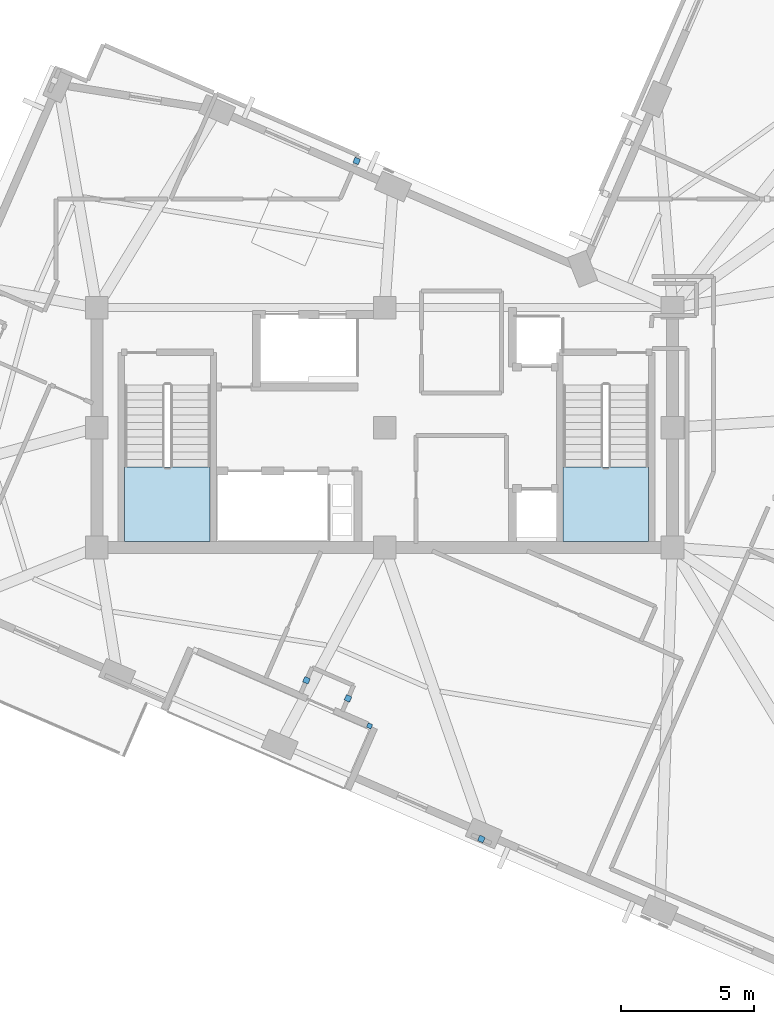
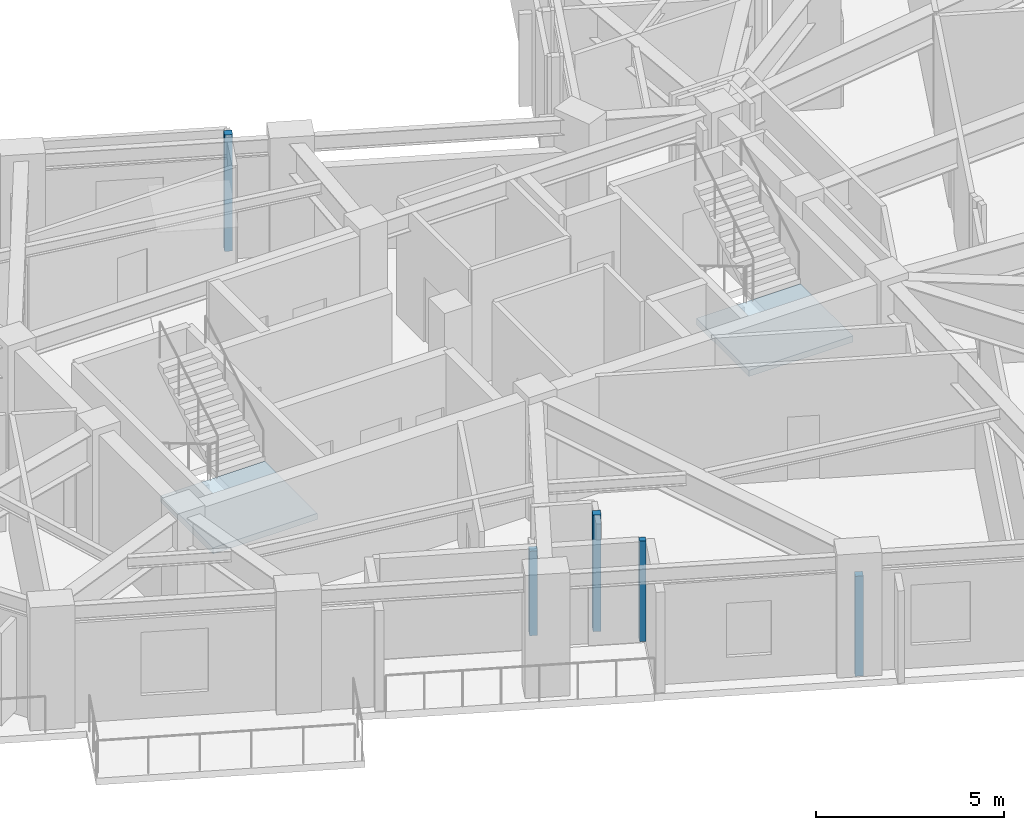
# One storey, part 3 of 12: 5 plates, 2 slabs, 2 elements without a shape of their own.
"""IFC4 building model written with IfcOpenShell, lengths in metres."""

import ifcopenshell
import ifcopenshell.guid

model = None  # the IFC model being written
_history = None  # IfcOwnerHistory: only IFC2X3 demands one
_inside = {}  # id of a spatial element -> (the spatial element, [elements in it])
_under = {}  # id of a project, library or spatial element -> (it, [spatial elements below it])
_declared = {}  # id of a project -> (the project, [libraries it declares])
_typed = {}  # id of a type object -> (the type object, [elements of that type])
_made_of = {}  # id of a material, layer set ... -> (it, [elements and type objects made of it])


def new_model(schema):
    """Start an empty IFC model of exactly this schema.

    Asked for "IFC4X3", IfcOpenShell would pick the latest addendum, in which some entities
    have other attributes; the version numbers below select the first issue.
    IFC2X3 requires an IfcOwnerHistory on every rooted entity: one is made here for all.
    """
    global model, _history
    if schema == "IFC4X3":
        model = ifcopenshell.file(schema_version=(4, 3, 0, 0))
    else:
        model = ifcopenshell.file(schema=schema)
    _inside.clear()
    _under.clear()
    _declared.clear()
    _typed.clear()
    _made_of.clear()
    _history = None
    if model.schema == "IFC2X3":
        org = make("IfcOrganization", Name="unknown")
        user = make(
            "IfcPersonAndOrganization",
            ThePerson=make("IfcPerson", FamilyName="unknown"),
            TheOrganization=org,
        )
        app = make(
            "IfcApplication",
            ApplicationDeveloper=org,
            Version="unknown",
            ApplicationFullName="unknown",
            ApplicationIdentifier="unknown",
        )
        _history = make(
            "IfcOwnerHistory",
            OwningUser=user,
            OwningApplication=app,
            ChangeAction="ADDED",
            CreationDate=0,
        )
    return model


def make(cls, **values):
    """One entity of the class cls with the attributes given. An attribute that is None is left unset."""
    return model.create_entity(
        cls, **{name: value for name, value in values.items() if value is not None}
    )


def rooted(cls, **values):
    """An entity with a GlobalId (a new one), such as an element, a storey or a relation."""
    return make(cls, GlobalId=ifcopenshell.guid.new(), OwnerHistory=_history, **values)


def si_unit(unit_type, name, prefix=None):
    """IfcSIUnit, for example si_unit("LENGTHUNIT", "METRE", prefix="MILLI")."""
    return make("IfcSIUnit", UnitType=unit_type, Prefix=prefix, Name=name)


def assignment(units):
    """IfcUnitAssignment: the units of a project."""
    return None if units is None else make("IfcUnitAssignment", Units=units)


def point(xyz):
    """IfcCartesianPoint."""
    return None if xyz is None else make("IfcCartesianPoint", Coordinates=xyz)


def direction(xyz):
    """IfcDirection."""
    return None if xyz is None else make("IfcDirection", DirectionRatios=xyz)


def frame(location, z_axis=None, x_axis=None):
    """IfcAxis2Placement3D, a coordinate frame: its origin and axes. An axis left out is left unset."""
    return make(
        "IfcAxis2Placement3D",
        Location=point(location),
        Axis=direction(z_axis),
        RefDirection=direction(x_axis),
    )


def frame_2d(location, x_axis=None):
    """IfcAxis2Placement2D, a coordinate frame in the plane: its origin and x axis."""
    return make(
        "IfcAxis2Placement2D", Location=point(location), RefDirection=direction(x_axis)
    )


def origin():
    """The frame at (0, 0, 0) with its axes left unset."""
    return frame((0.0, 0.0, 0.0))


def origin_2d():
    """The frame at (0, 0) in the plane with its x axis left unset."""
    return frame_2d((0.0, 0.0))


def place(relative_to, where):
    """IfcLocalPlacement: puts the frame where relative to a parent placement (None: the world)."""
    return make(
        "IfcLocalPlacement", PlacementRelTo=relative_to, RelativePlacement=where
    )


def context(
    kind, dimensions, precision=None, world=None, true_north=None, identifier=None
):
    """IfcGeometricRepresentationContext, for example the 3D "Model" context."""
    return make(
        "IfcGeometricRepresentationContext",
        ContextIdentifier=identifier,
        ContextType=kind,
        CoordinateSpaceDimension=dimensions,
        Precision=precision,
        WorldCoordinateSystem=world,
        TrueNorth=true_north,
    )


def subcontext(parent, identifier, kind, view, scale=None):
    """IfcGeometricRepresentationSubContext, for example "Body" below "Model"."""
    return make(
        "IfcGeometricRepresentationSubContext",
        ContextIdentifier=identifier,
        ContextType=kind,
        ParentContext=parent,
        TargetScale=scale,
        TargetView=view,
    )


def project(units=None, contexts=None):
    """IfcProject with its units and contexts."""
    return rooted(
        "IfcProject",
        Name="project",
        RepresentationContexts=contexts,
        UnitsInContext=assignment(units),
    )


def spatial(cls, under=None, at=None, **own):
    """A site, building, storey or space (cls), placed at a placement, below another one or the project."""
    s = rooted(cls, ObjectPlacement=at, **own)
    if under is not None:
        _under.setdefault(under.id(), (under, []))[1].append(s)
    return s


def polyline(points):
    """IfcPolyline through the points."""
    return make("IfcPolyline", Points=[point(p) for p in points])


def profile(cls, at=None, kind="AREA", **sizes):
    """A parametric profile (cls). Its sizes go by their IFC names, for example OverallWidth=200.0."""
    return make(cls, ProfileType=kind, Position=at, **sizes)


def rectangle(**sizes):
    """IfcRectangleProfileDef."""
    return profile("IfcRectangleProfileDef", **sizes)


def outline(outer, holes=None, kind="AREA"):
    """IfcArbitraryClosedProfileDef: a profile drawn as a closed curve; with holes, ...WithVoids."""
    if holes is None:
        return make("IfcArbitraryClosedProfileDef", ProfileType=kind, OuterCurve=outer)
    return make(
        "IfcArbitraryProfileDefWithVoids",
        ProfileType=kind,
        OuterCurve=outer,
        InnerCurves=holes,
    )


def extrude(swept, where, along, depth):
    """IfcExtrudedAreaSolid: the profile swept, set in the frame where, extruded along a direction by depth."""
    return make(
        "IfcExtrudedAreaSolid",
        SweptArea=swept,
        Position=where,
        ExtrudedDirection=direction(along),
        Depth=depth,
    )


def shape(context_of_items, identifier, shape_type, items):
    """IfcShapeRepresentation: the items that make up one representation, for example the "Body"."""
    return make(
        "IfcShapeRepresentation",
        ContextOfItems=context_of_items,
        RepresentationIdentifier=identifier,
        RepresentationType=shape_type,
        Items=items,
    )


def material(Name=None, Category=None):
    """IfcMaterial."""
    return make("IfcMaterial", Name=Name, Category=Category)


def layer(
    of_material, thickness, ventilated=None, Name=None, Category=None, Priority=None
):
    """IfcMaterialLayer: one layer of a wall or slab, of a material (None: an air gap)."""
    return make(
        "IfcMaterialLayer",
        Material=of_material,
        LayerThickness=thickness,
        IsVentilated=ventilated,
        Name=Name,
        Category=Category,
        Priority=Priority,
    )


def layer_set(layers, Name=None):
    """IfcMaterialLayerSet."""
    return make("IfcMaterialLayerSet", MaterialLayers=layers, LayerSetName=Name)


def made_of(thing, what):
    """Note that an element or type object is made of a material, layer set ...; save() writes the relation."""
    if what is not None:
        _made_of.setdefault(what.id(), (what, []))[1].append(thing)
    return thing


def type_object(cls, material=None, **own):
    """A type object (cls), such as IfcWallType, which elements share."""
    return made_of(rooted(cls, **own), material)


def element(
    cls,
    number,
    at=None,
    inside=None,
    cuts=None,
    type_object=None,
    material=None,
    context=None,
    identifier="Body",
    shape_type=None,
    held_by="IfcProductDefinitionShape",
    body=None,
    shapes=None,
    **own,
):
    """One element of the class cls, such as IfcWall. Its Tag is "e" and its number.

    at: its placement. inside: the storey or other place that contains it. cuts: it is an
    opening in that element (IfcRelVoidsElement). A single representation is given by context,
    identifier, shape_type and body (its items); several are given by shapes. held_by: the class
    of the entity that holds the representations. save() writes the other relations.
    """
    e = rooted(cls, Tag="e%d" % number, ObjectPlacement=at, **own)
    if body is not None:
        shapes = [shape(context, identifier, shape_type, body)]
    if shapes is not None:
        e.Representation = make(held_by, Representations=shapes)
    if inside is not None:
        _inside.setdefault(inside.id(), (inside, []))[1].append(e)
    if cuts is not None:
        rooted(
            "IfcRelVoidsElement", RelatingBuildingElement=cuts, RelatedOpeningElement=e
        )
    if type_object is not None:
        _typed.setdefault(type_object.id(), (type_object, []))[1].append(e)
    return made_of(e, material)


def aggregate(whole, parts):
    """IfcRelAggregates: a whole, such as a stair, and the parts it consists of."""
    return rooted("IfcRelAggregates", RelatingObject=whole, RelatedObjects=parts)


def save(model, path):
    """Write the relations noted so far, then the file.

    IfcRelAggregates (storeys below a building ...), IfcRelContainedInSpatialStructure (elements
    in a storey), IfcRelDefinesByType, IfcRelAssociatesMaterial and IfcRelDeclares: one each for
    every whole, place, type object, material and project.
    """
    for whole, parts in _under.values():
        aggregate(whole, parts)
    for where, things in _inside.values():
        rooted(
            "IfcRelContainedInSpatialStructure",
            RelatedElements=things,
            RelatingStructure=where,
        )
    for kind, things in _typed.values():
        rooted("IfcRelDefinesByType", RelatedObjects=things, RelatingType=kind)
    for what, things in _made_of.values():
        rooted("IfcRelAssociatesMaterial", RelatedObjects=things, RelatingMaterial=what)
    for by, libraries in _declared.values():
        rooted("IfcRelDeclares", RelatingContext=by, RelatedDefinitions=libraries)
    model.write(path)


model = new_model("IFC4")

# Units and contexts
model_context = context("Model", 3, precision=1e-05, world=origin(), true_north=direction((0.0, 1.0)))
body_context = subcontext(model_context, "Body", "Model", "MODEL_VIEW")
ifc_project = project(units=[si_unit("LENGTHUNIT", "METRE"), si_unit("AREAUNIT", "SQUARE_METRE"), si_unit("VOLUMEUNIT", "CUBIC_METRE"), si_unit("PLANEANGLEUNIT", "RADIAN"), si_unit("MASSUNIT", "GRAM", prefix="KILO")], contexts=[model_context])

# Site, building, storey
site_placement = place(None, origin())
site = spatial("IfcSite", under=ifc_project, at=site_placement, CompositionType="ELEMENT")
building_placement = place(site_placement, origin())
building = spatial("IfcBuilding", under=site, at=building_placement, Name="Gaonmaruhae Medical Tower", CompositionType="ELEMENT")
storey_placement = place(building_placement, frame((0.0, 0.0, 312.60009765625)))
storey = spatial("IfcBuildingStorey", under=building, at=storey_placement, Name="L75", CompositionType="ELEMENT", Elevation=312.60009765625)

# Plates
ifc_material_1 = material(Name="Anodised aluminium 6063-T6", Category="aluminium")
ifc_layer_1 = layer(ifc_material_1, 0.011962890625)
ifc_layer_set_1 = layer_set([ifc_layer_1], Name="Anodised aluminium 6063-T6")
plate_type = type_object("IfcPlateType", Name="PP-01 Interior Partition Corner Stiffener Plate", PredefinedType="SHEET", material=ifc_layer_set_1)
plate_1_placement = place(storey_placement, frame((24.236572265625, 1.108642578125, 0.0), z_axis=(0.0, 0.0, 1.0), x_axis=(-0.917060074385, 0.398749068925, 0.0)))
element("IfcPlate", 1, at=plate_1_placement, inside=storey, type_object=plate_type, Name="L75 Partition End Jamb Post Plate PLT-L75-ENDP-TERB-0", PredefinedType="SHEET", context=body_context, shape_type="SweptSolid", body=[
    extrude(rectangle(XDim=0.179931640625, YDim=0.179931640625, at=origin_2d()), origin(), (0.0, 0.0, 1.0), 3.264892578125),
])
plate_2_placement = place(storey_placement, frame((28.431396484375, -3.136474609375, -0.000244140625), z_axis=(0.0, 0.0, 1.0), x_axis=(-0.917053114761, 0.398765074582, 0.0)))
element("IfcPlate", 2, at=plate_2_placement, inside=storey, type_object=plate_type, Name="L75 Partition Corner Stiffener Plate PLT-L75-JGP-PW031", PredefinedType="SHEET", context=body_context, shape_type="SweptSolid", body=[
    extrude(rectangle(XDim=0.219970703125, YDim=0.219970703125, at=origin_2d()), origin(), (0.0, 0.0, 1.0), 3.2451171875),
])
plate_3_placement = place(storey_placement, frame((23.427490234375, 2.139404296875, 0.0), z_axis=(0.0, 0.0, 1.0), x_axis=(0.399181179014, 0.916872066496, 0.0)))
element("IfcPlate", 3, at=plate_3_placement, inside=storey, type_object=plate_type, Name="L75 Partition Corner Stiffener Plate PLT-L75-JGP-PW032", PredefinedType="SHEET", context=body_context, shape_type="SweptSolid", body=[
    extrude(rectangle(XDim=0.219970703125, YDim=0.219970703125, at=origin_2d()), origin(), (0.0, 0.0, 1.0), 3.780029296875),
])
plate_4_placement = place(storey_placement, frame((21.868408203125, 2.8173828125, -0.000244140625), z_axis=(0.0, 0.0, 1.0), x_axis=(-0.399181179014, -0.916872066496, 0.0)))
element("IfcPlate", 4, at=plate_4_placement, inside=storey, type_object=plate_type, Name="L75 Partition Corner Stiffener Plate PLT-L75-JGP-PW034", PredefinedType="SHEET", context=body_context, shape_type="SweptSolid", body=[
    extrude(rectangle(XDim=0.219970703125, YDim=0.219970703125, at=origin_2d()), origin(), (0.0, 0.0, 1.0), 2.7451171875),
])
plate_5_placement = place(storey_placement, frame((23.751953125, 22.302490234375, 0.0), z_axis=(0.0, 0.0, 1.0), x_axis=(-0.399741189774, -0.916628049537, 0.0)))
element("IfcPlate", 5, at=plate_5_placement, inside=storey, type_object=plate_type, Name="L75 Partition Corner Stiffener Plate PLT-L75-JGP-PW075", PredefinedType="SHEET", context=body_context, shape_type="SweptSolid", body=[
    extrude(rectangle(XDim=0.219970703125, YDim=0.219970703125, at=origin_2d()), origin(), (0.0, 0.0, 1.0), 3.780029296875),
])

# Stair, slab
ifc_material_2 = material(Name="Concrete C40/50", Category="concrete")
stair_type = type_object("IfcStairType", Name="ST-T1 Primary Core Escape Dogleg Stair", PredefinedType="TWO_QUARTER_TURN_STAIR", material=ifc_material_2)
stair_1_placement = place(storey_placement, origin())
stair_1 = element("IfcStair", 6, at=stair_1_placement, inside=storey, type_object=stair_type, Name="L75 Protected Escape Stair ST-01", PredefinedType="TWO_QUARTER_TURN_STAIR")
ifc_layer_2 = layer(ifc_material_2, 0.199951171875)
ifc_layer_set_2 = layer_set([ifc_layer_2], Name="Concrete C40/50")
slab_type = type_object("IfcSlabType", Name="SL-200 Stair & Ramp Intermediate Concrete Landing", PredefinedType="LANDING", material=ifc_layer_set_2)
slab_1_placement = place(storey_placement, frame((0.0, 0.0, 1.7998046875)))
slab_1 = element("IfcSlab", 7, at=slab_1_placement, type_object=slab_type, Name="ST-01 landing 1", PredefinedType="LANDING", context=body_context, shape_type="SweptSolid", body=[
    extrude(outline(polyline([(15.050048828125, 10.820068359375), (15.050048828125, 8.029052734375), (18.25, 8.029052734375), (18.25, 10.820068359375), (15.050048828125, 10.820068359375)])), origin(), (0.0, 0.0, 1.0), 0.2001953125),
])
aggregate(stair_1, [slab_1])

stair_2_placement = place(storey_placement, origin())
stair_2 = element("IfcStair", 8, at=stair_2_placement, inside=storey, type_object=stair_type, Name="L75 Protected Escape Stair ST-02", PredefinedType="TWO_QUARTER_TURN_STAIR")
slab_2_placement = place(storey_placement, frame((0.0, 0.0, 1.7998046875)))
slab_2 = element("IfcSlab", 9, at=slab_2_placement, type_object=slab_type, Name="ST-02 landing 1", PredefinedType="LANDING", context=body_context, shape_type="SweptSolid", body=[
    extrude(outline(polyline([(31.5, 10.820068359375), (31.5, 8.029052734375), (34.699951171875, 8.029052734375), (34.699951171875, 10.820068359375), (31.5, 10.820068359375)])), origin(), (0.0, 0.0, 1.0), 0.2001953125),
])
aggregate(stair_2, [slab_2])

save(model, "model.ifc")
